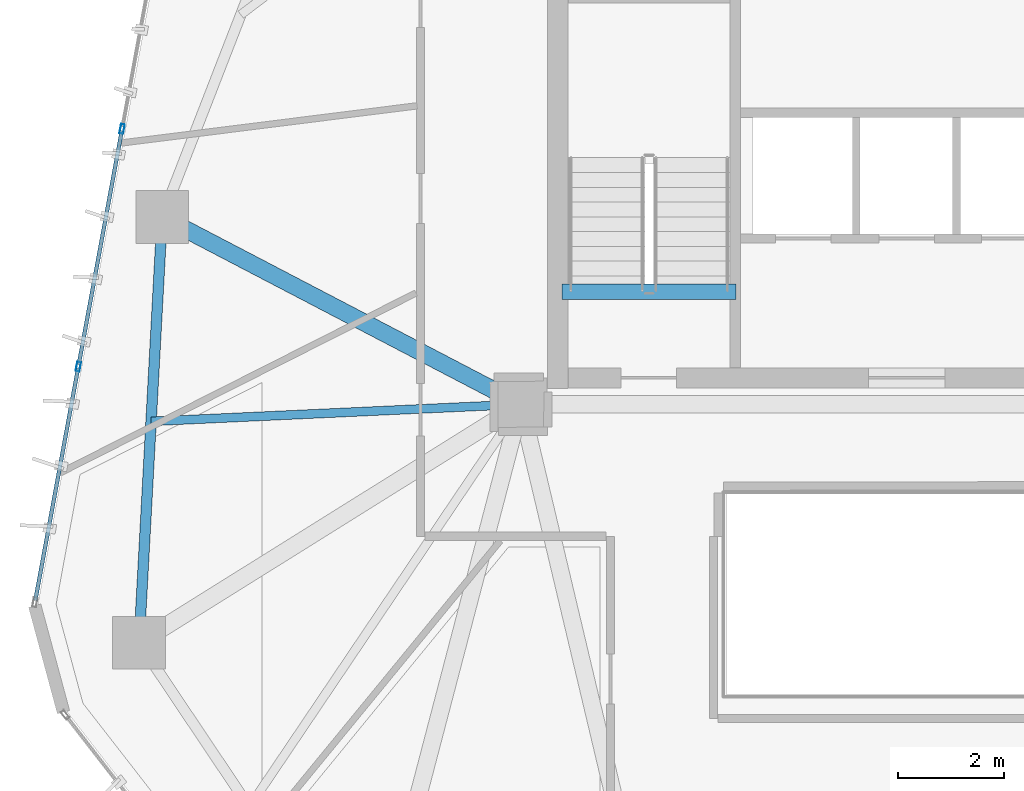
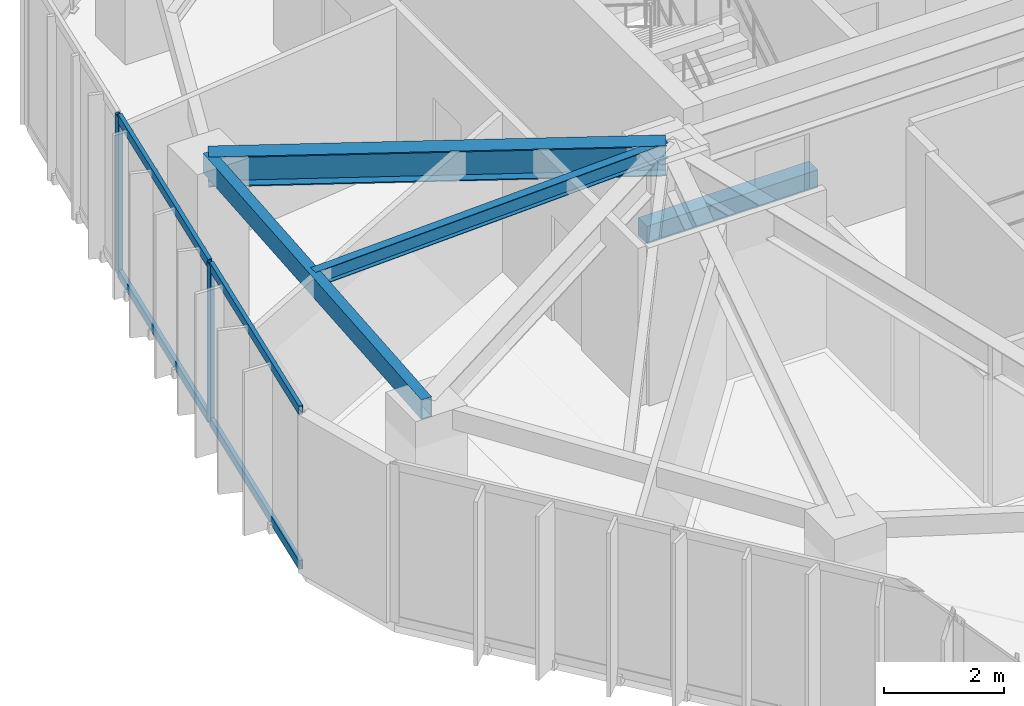
# One storey, part 6 of 19: 6 members, 4 beams, 1 element without a shape of its own.
"""IFC4 building model written with IfcOpenShell, lengths in metres."""

from ifc_helpers import new_model, si_unit, direction, frame, origin, origin_2d, place, context, subcontext, project, spatial, rectangle, hollow_rectangle, i_section, extrude, source, transform, mapped, material, layer, layer_set, material_profile, profile_set, type_object, type_shapes, element, aggregate, save


model = new_model("IFC4")

# Units and contexts
model_context = context("Model", 3, precision=1e-05, world=origin(), true_north=direction((0.0, 1.0)))
body_context = subcontext(model_context, "Body", "Model", "MODEL_VIEW")
ifc_project = project(units=[si_unit("LENGTHUNIT", "METRE"), si_unit("AREAUNIT", "SQUARE_METRE"), si_unit("VOLUMEUNIT", "CUBIC_METRE"), si_unit("PLANEANGLEUNIT", "RADIAN"), si_unit("MASSUNIT", "GRAM", prefix="KILO")], contexts=[model_context])

# Site, building, storey
site_placement = place(None, origin())
site = spatial("IfcSite", under=ifc_project, at=site_placement, CompositionType="ELEMENT")
building_placement = place(site_placement, origin())
building = spatial("IfcBuilding", under=site, at=building_placement, Name="Talar Marvaseh", CompositionType="ELEMENT")
storey_placement = place(building_placement, frame((0.0, 0.0, 195.0)))
storey = spatial("IfcBuildingStorey", under=building, at=storey_placement, Name="L51", CompositionType="ELEMENT", Elevation=195.0)

# Beams
ifc_material_1 = material(Name="Concrete C40/50", Category="concrete")
ifc_material_profile_1 = material_profile(ifc_material_1, rectangle(XDim=0.300048828125, YDim=0.360107421875, at=origin_2d()), Name="RC300x360")
ifc_profile_set_1 = profile_set([ifc_material_profile_1], Name="Concrete C40/50")
beam_type_1 = type_object("IfcBeamType", Name="Concrete Stair Landing Trimmer Beam RC300x360", PredefinedType="SPANDREL", material=ifc_profile_set_1)
beam_1_placement = place(storey_placement, frame((22.780029296875, 27.6298828125, -0.179931640625), z_axis=(-1.0, 0.0, 0.0), x_axis=(0.0, -1.0, 0.0)))
element("IfcBeam", 1, at=beam_1_placement, inside=storey, type_object=beam_type_1, Name="L51 ST-1 Stair Nosing Trimmer Beam", PredefinedType="SPANDREL", context=body_context, shape_type="SweptSolid", body=[
    extrude(rectangle(XDim=0.300048828125, YDim=0.360107421875, at=origin_2d()), origin(), (0.0, 0.0, 1.0), 3.300048828125),
])
ifc_material_2 = material(Name="Steel S355", Category="steel")
ifc_material_profile_2 = material_profile(ifc_material_2, hollow_rectangle(XDim=0.199951171875, YDim=0.39990234375, WallThickness=0.013916015625, at=origin_2d()), Name="RHS400x200x14")
ifc_profile_set_2 = profile_set([ifc_material_profile_2], Name="Steel S355")
beam_type_2 = type_object("IfcBeamType", Name="Zone 3 Perimeter Spandrel Beam RHS400x200x14", PredefinedType="SPANDREL", material=ifc_profile_set_2)
beam_2_placement = place(storey_placement, frame((11.471923828125, 20.986083984375, 3.030029296875), z_axis=(0.054148078426, 0.998532916635, 0.0), x_axis=(-0.998532916635, 0.054148078426, 0.0)))
element("IfcBeam", 2, at=beam_2_placement, inside=storey, type_object=beam_type_2, Name="L51 Zone 3 Perimeter Spandrel Beam RHS400x200x14", PredefinedType="SPANDREL", context=body_context, shape_type="SweptSolid", body=[
    extrude(hollow_rectangle(XDim=0.199951171875, YDim=0.39990234375, WallThickness=0.013916015625, at=origin_2d()), origin(), (0.0, 0.0, 1.0), 8.070556640625),
])
ifc_material_profile_3 = material_profile(ifc_material_2, i_section(OverallWidth=0.324951171875, OverallDepth=0.615966796875, WebThickness=0.013916015625, FlangeThickness=0.021484375, at=origin_2d()), Name="W610x174")
ifc_profile_set_3 = profile_set([ifc_material_profile_3], Name="Steel S355")
beam_type_3 = type_object("IfcBeamType", Name="Zone 3 Radial Floor Girder W610x174", PredefinedType="BEAM", material=ifc_profile_set_3)
beam_3_placement = place(storey_placement, frame((11.908935546875, 29.044921875, 2.922119140625), z_axis=(0.886489360055, -0.462748975697, 0.0), x_axis=(0.462748975697, 0.886489360055, 0.0)))
element("IfcBeam", 3, at=beam_3_placement, inside=storey, type_object=beam_type_3, Name="L51 Zone 3 Radial Floor Girder W610x174", PredefinedType="BEAM", context=body_context, shape_type="SweptSolid", body=[
    extrude(i_section(OverallWidth=0.324951171875, OverallDepth=0.615966796875, WebThickness=0.013916015625, FlangeThickness=0.021484375, at=origin_2d()), origin(), (0.0, 0.0, 1.0), 7.66064453125),
])
ifc_material_profile_4 = material_profile(ifc_material_2, i_section(OverallWidth=0.166015625, OverallDepth=0.31298828125, WebThickness=0.006591796875, FlangeThickness=0.01123046875, at=origin_2d()), Name="W310x45")
ifc_profile_set_4 = profile_set([ifc_material_profile_4], Name="Steel S355")
beam_type_4 = type_object("IfcBeamType", Name="Zone 3 Secondary Floor Joist W310x45", PredefinedType="JOIST", material=ifc_profile_set_4)
beam_4_placement = place(storey_placement, frame((11.69921875, 25.1767578125, 3.073486328125), z_axis=(0.998935745755, 0.046123484826, 0.0), x_axis=(-0.046123484826, 0.998935745755, 0.0)))
element("IfcBeam", 4, at=beam_4_placement, inside=storey, type_object=beam_type_4, Name="L51 Zone 3 Secondary Floor Joist W310x45", PredefinedType="JOIST", context=body_context, shape_type="SweptSolid", body=[
    extrude(i_section(OverallWidth=0.166015625, OverallDepth=0.31298828125, WebThickness=0.006591796875, FlangeThickness=0.01123046875, at=origin_2d()), origin(), (0.0, 0.0, 1.0), 7.00830078125),
])

# Curtain wall, members
ifc_material_3 = material(Name="Architectural Aluminium", Category="aluminium")
ifc_layer = layer(ifc_material_3, 0.18994140625)
ifc_layer_set = layer_set([ifc_layer], Name="Architectural Aluminium")
curtain_wall_type = type_object("IfcCurtainWallType", Name="Unitised Solar Atelier Curtain Wall Z3", PredefinedType="NOTDEFINED", material=ifc_layer_set)
curtain_wall_placement = place(storey_placement, origin())
curtain_wall = element("IfcCurtainWall", 5, at=curtain_wall_placement, inside=storey, type_object=curtain_wall_type, Name="L51 Unitised Solar Atelier Curtain Wall Z3", PredefinedType="NOTDEFINED")
ifc_material_profile_5 = material_profile(ifc_material_3, hollow_rectangle(XDim=0.074951171875, YDim=0.179931640625, WallThickness=0.0048828125, at=origin_2d()), Name="RHS180x75x5")
ifc_profile_set_5 = profile_set([ifc_material_profile_5], Name="Architectural Aluminium")
member_type_1 = type_object("IfcMemberType", Name="Unitised Curtain Wall Standard Mullion RHS180x75x5", PredefinedType="MULLION", material=ifc_profile_set_5)
shared_shape_1 = source(origin(), body_context, "Body", "SweptSolid", [
    extrude(hollow_rectangle(XDim=0.074951171875, YDim=0.179931640625, WallThickness=0.0048828125, at=origin_2d()), origin(), (0.0, 0.0, 1.0), 3.22998046875),
])
type_shapes(member_type_1, [shared_shape_1])
member_1_placement = place(storey_placement, frame((10.322509765625, 26.214111328125, 0.0), z_axis=(0.0, 0.0, 1.0), x_axis=(-0.983470392607, 0.181069011334, 0.0)))
member_1 = element("IfcMember", 6, at=member_1_placement, type_object=member_type_1, Name="CW-Z3 mullion 2", PredefinedType="MULLION", context=body_context, shape_type="MappedRepresentation", body=[
    mapped(shared_shape_1, transform((0.0, 0.0, 0.0), x_axis=(1.0, 0.0, 0.0), y_axis=(0.0, 1.0, 0.0), z_axis=(0.0, 0.0, 1.0), scale=1.0)),
])
member_2_placement = place(storey_placement, frame((11.1513671875, 30.7158203125, 0.0), z_axis=(0.0, 0.0, 1.0), x_axis=(-0.983470392607, 0.181069011334, 0.0)))
member_2 = element("IfcMember", 7, at=member_2_placement, type_object=member_type_1, Name="CW-Z3 mullion 3", PredefinedType="MULLION", context=body_context, shape_type="MappedRepresentation", body=[
    mapped(shared_shape_1, transform((0.0, 0.0, 0.0), x_axis=(1.0, 0.0, 0.0), y_axis=(0.0, 1.0, 0.0), z_axis=(0.0, 0.0, 1.0), scale=1.0)),
])
ifc_material_profile_6 = material_profile(ifc_material_3, hollow_rectangle(XDim=0.074951171875, YDim=0.179931640625, WallThickness=0.0048828125, at=origin_2d()), Name="RHS180x75x5")
ifc_profile_set_6 = profile_set([ifc_material_profile_6], Name="Architectural Aluminium")
member_type_2 = type_object("IfcMemberType", Name="Unitised Curtain Wall Transom RHS180x75x5", PredefinedType="USERDEFINED", material=ifc_profile_set_6)
shared_shape_2 = source(origin(), body_context, "Body", "SweptSolid", [
    extrude(hollow_rectangle(XDim=0.074951171875, YDim=0.179931640625, WallThickness=0.0048828125, at=origin_2d()), origin(), (0.0, 0.0, 1.0), 4.464599609375),
])
member_3_placement = place(storey_placement, frame((9.50732421875, 21.786376953125, 0.03759765625), z_axis=(0.181108149673, 0.983463185952, 0.0), x_axis=(-0.983463185952, 0.181108149673, 0.0)))
member_3 = element("IfcMember", 8, at=member_3_placement, type_object=member_type_2, Name="CW-Z3 transom 1.1", ObjectType="TRANSOM", PredefinedType="USERDEFINED", context=body_context, shape_type="MappedRepresentation", body=[
    mapped(shared_shape_2, transform((0.0, 0.0, 0.0), x_axis=(1.0, 0.0, 0.0), y_axis=(0.0, 1.0, 0.0), z_axis=(0.0, 0.0, 1.0), scale=1.0)),
])
member_4_placement = place(storey_placement, frame((9.50732421875, 21.786376953125, 3.1923828125), z_axis=(0.181108149673, 0.983463185952, 0.0), x_axis=(-0.983463185952, 0.181108149673, 0.0)))
member_4 = element("IfcMember", 9, at=member_4_placement, type_object=member_type_2, Name="CW-Z3 transom 1.2", ObjectType="TRANSOM", PredefinedType="USERDEFINED", context=body_context, shape_type="MappedRepresentation", body=[
    mapped(shared_shape_2, transform((0.0, 0.0, 0.0), x_axis=(1.0, 0.0, 0.0), y_axis=(0.0, 1.0, 0.0), z_axis=(0.0, 0.0, 1.0), scale=1.0)),
])
shared_shape_3 = source(origin(), body_context, "Body", "SweptSolid", [
    extrude(hollow_rectangle(XDim=0.074951171875, YDim=0.179931640625, WallThickness=0.0048828125, at=origin_2d()), origin(), (0.0, 0.0, 1.0), 4.50244140625),
])
type_shapes(member_type_2, [shared_shape_2, shared_shape_3])
member_5_placement = place(storey_placement, frame((10.329345703125, 26.2509765625, 0.03759765625), z_axis=(0.181056158244, 0.983472758932, 0.0), x_axis=(-0.983472758932, 0.181056158244, 0.0)))
member_5 = element("IfcMember", 10, at=member_5_placement, type_object=member_type_2, Name="CW-Z3 transom 2.1", ObjectType="TRANSOM", PredefinedType="USERDEFINED", context=body_context, shape_type="MappedRepresentation", body=[
    mapped(shared_shape_3, transform((0.0, 0.0, 0.0), x_axis=(1.0, 0.0, 0.0), y_axis=(0.0, 1.0, 0.0), z_axis=(0.0, 0.0, 1.0), scale=1.0)),
])
member_6_placement = place(storey_placement, frame((10.329345703125, 26.2509765625, 3.1923828125), z_axis=(0.181056158244, 0.983472758932, 0.0), x_axis=(-0.983472758932, 0.181056158244, 0.0)))
member_6 = element("IfcMember", 11, at=member_6_placement, type_object=member_type_2, Name="CW-Z3 transom 2.2", ObjectType="TRANSOM", PredefinedType="USERDEFINED", context=body_context, shape_type="MappedRepresentation", body=[
    mapped(shared_shape_3, transform((0.0, 0.0, 0.0), x_axis=(1.0, 0.0, 0.0), y_axis=(0.0, 1.0, 0.0), z_axis=(0.0, 0.0, 1.0), scale=1.0)),
])
aggregate(curtain_wall, [member_1, member_2, member_3, member_4, member_5, member_6])

save(model, "model.ifc")
